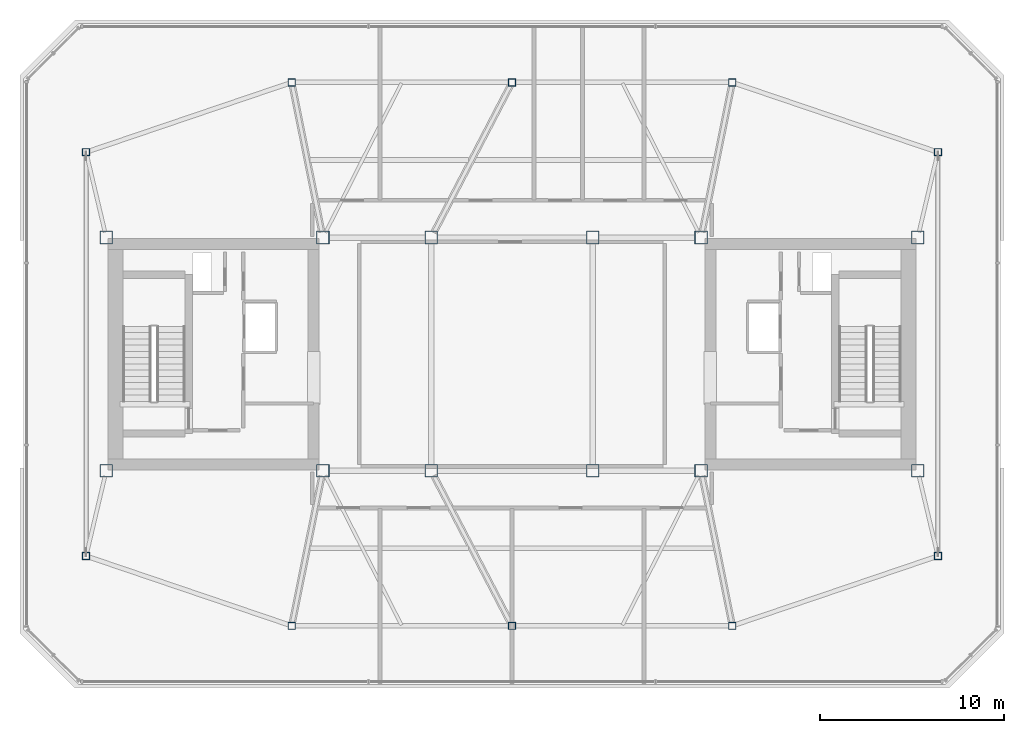
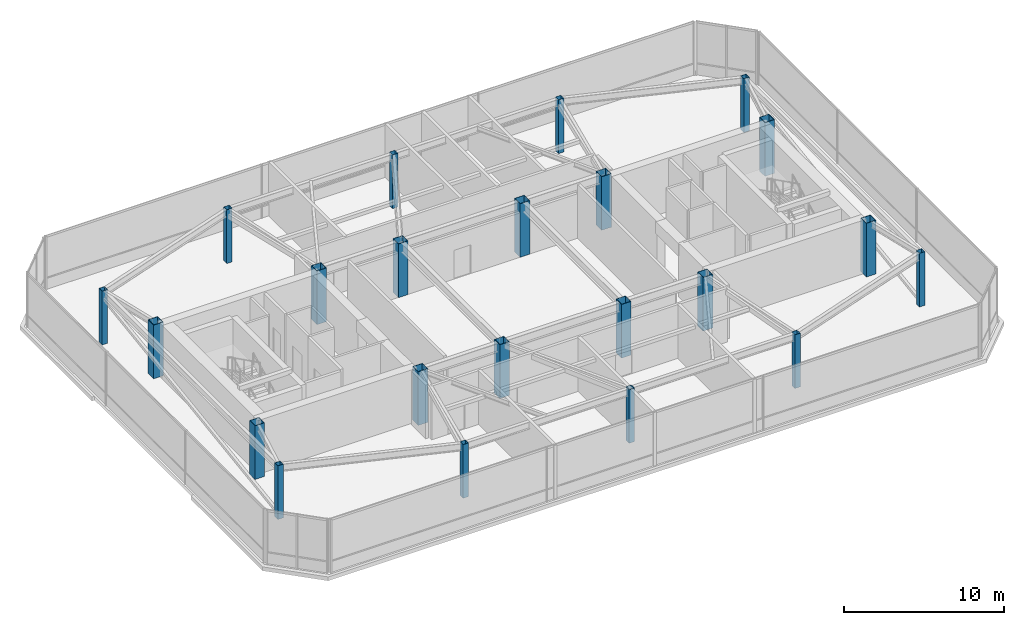
# One storey, part 1 of 21: 22 columns.
"""IFC4 building model written with IfcOpenShell, lengths in metres."""

from ifc_helpers import new_model, si_unit, direction, frame, origin, origin_2d, place, context, subcontext, project, spatial, hollow_rectangle, extrude, material, material_profile, profile_set, type_object, element, save


model = new_model("IFC4")

# Units and contexts
model_context = context("Model", 3, precision=1e-05, world=origin(), true_north=direction((0.0, 1.0)))
body_context = subcontext(model_context, "Body", "Model", "MODEL_VIEW")
ifc_project = project(units=[si_unit("LENGTHUNIT", "METRE"), si_unit("AREAUNIT", "SQUARE_METRE"), si_unit("VOLUMEUNIT", "CUBIC_METRE"), si_unit("PLANEANGLEUNIT", "RADIAN"), si_unit("MASSUNIT", "GRAM", prefix="KILO")], contexts=[model_context])

# Site, building, storey
site_placement = place(None, origin())
site = spatial("IfcSite", under=ifc_project, at=site_placement, CompositionType="ELEMENT")
building_placement = place(site_placement, origin())
building = spatial("IfcBuilding", under=site, at=building_placement, Name="Tavrogorsk Clinical Tower", CompositionType="ELEMENT")
storey_placement = place(building_placement, frame((0.0, 0.0, 344.199951171875)))
storey = spatial("IfcBuildingStorey", under=building, at=storey_placement, Name="L80", CompositionType="ELEMENT", Elevation=344.199951171875)

# Columns
ifc_material_1 = material(Name="Structural steel S390", Category="steel")
ifc_material_profile_1 = material_profile(ifc_material_1, hollow_rectangle(XDim=0.39990234375, YDim=0.39990234375, WallThickness=0.02001953125, at=origin_2d()), Name="SHS-400x400x20")
ifc_profile_set_1 = profile_set([ifc_material_profile_1], Name="Structural steel S390")
column_type_1 = type_object("IfcColumnType", Name="CrownCol_SHS400", PredefinedType="COLUMN", material=ifc_profile_set_1)
for number, where, z_axis, x_axis, name in (
    (1, (-23.199951171875, -11.0, 0.0), (0.0, 0.0, 1.0), (1.0, 0.0, 0.0), "L80 Crown Column CRN-01"),
    (2, (23.199951171875, -11.0, 0.0), (0.0, 0.0, 1.0), (1.0, 0.0, 0.0), "L80 Crown Column CRN-02"),
    (3, (23.199951171875, 11.0, 0.0), (0.0, 0.0, 1.0), (1.0, 0.0, 0.0), "L80 Crown Column CRN-03"),
    (4, (-23.199951171875, 11.0, 0.0), (0.0, 0.0, 1.0), (1.0, 0.0, 0.0), "L80 Crown Column CRN-04"),
    (5, (-12.0, -14.800048828125, 0.0), (0.0, 0.0, 1.0), (1.0, 0.0, 0.0), "L80 Crown Column CRN-05"),
    (6, (0.0, -14.800048828125, 0.0), (0.0, 0.0, 1.0), (1.0, 0.0, 0.0), "L80 Crown Column CRN-06"),
    (7, (12.0, -14.800048828125, 0.0), (0.0, 0.0, 1.0), (1.0, 0.0, 0.0), "L80 Crown Column CRN-07"),
    (8, (-12.0, 14.800048828125, 0.0), (0.0, 0.0, 1.0), (1.0, 0.0, 0.0), "L80 Crown Column CRN-08"),
    (9, (0.0, 14.800048828125, 0.0), (0.0, 0.0, 1.0), (1.0, 0.0, 0.0), "L80 Crown Column CRN-09"),
    (10, (12.0, 14.800048828125, 0.0), (0.0, 0.0, 1.0), (1.0, 0.0, 0.0), "L80 Crown Column CRN-10"),
):
    element("IfcColumn", number, at=place(storey_placement, frame(where, z_axis=z_axis, x_axis=x_axis)), inside=storey, type_object=column_type_1, Name=name, PredefinedType="COLUMN", context=body_context, shape_type="SweptSolid", body=[
        extrude(hollow_rectangle(XDim=0.39990234375, YDim=0.39990234375, WallThickness=0.02001953125, at=origin_2d()), origin(), (0.0, 0.0, 1.0), 4.10009765625),
    ])
ifc_material_2 = material(Name="Structural steel S440", Category="steel")
ifc_material_profile_2 = material_profile(ifc_material_2, hollow_rectangle(XDim=0.699951171875, YDim=0.699951171875, WallThickness=0.031982421875, at=origin_2d()), Name="BOX-700x700x32")
ifc_profile_set_2 = profile_set([ifc_material_profile_2], Name="Structural steel S440")
column_type_2 = type_object("IfcColumnType", Name="MegaCol_BOX700", PredefinedType="COLUMN", material=ifc_profile_set_2)
for number, where, z_axis, x_axis, name in (
    (11, (-22.10009765625, -6.35009765625, 0.0), (0.0, 0.0, 1.0), (1.0, 0.0, 0.0), "L80 Mega Column MC-W1"),
    (12, (-22.10009765625, 6.35009765625, 0.0), (0.0, 0.0, 1.0), (1.0, 0.0, 0.0), "L80 Mega Column MC-W2"),
    (13, (-10.300048828125, -6.35009765625, 0.0), (0.0, 0.0, 1.0), (1.0, 0.0, 0.0), "L80 Mega Column MC-W3"),
    (14, (-10.300048828125, 6.35009765625, 0.0), (0.0, 0.0, 1.0), (1.0, 0.0, 0.0), "L80 Mega Column MC-W4"),
    (15, (10.300048828125, -6.35009765625, 0.0), (0.0, 0.0, 1.0), (1.0, 0.0, 0.0), "L80 Mega Column MC-E1"),
    (16, (10.300048828125, 6.35009765625, 0.0), (0.0, 0.0, 1.0), (1.0, 0.0, 0.0), "L80 Mega Column MC-E2"),
    (17, (22.10009765625, -6.35009765625, 0.0), (0.0, 0.0, 1.0), (1.0, 0.0, 0.0), "L80 Mega Column MC-E3"),
    (18, (22.10009765625, 6.35009765625, 0.0), (0.0, 0.0, 1.0), (1.0, 0.0, 0.0), "L80 Mega Column MC-E4"),
    (19, (-4.39990234375, -6.35009765625, 0.0), (0.0, 0.0, 1.0), (1.0, 0.0, 0.0), "L80 Mega Column MC-C1"),
    (20, (4.39990234375, -6.35009765625, 0.0), (0.0, 0.0, 1.0), (1.0, 0.0, 0.0), "L80 Mega Column MC-C2"),
    (21, (-4.39990234375, 6.35009765625, 0.0), (0.0, 0.0, 1.0), (1.0, 0.0, 0.0), "L80 Mega Column MC-C3"),
    (22, (4.39990234375, 6.35009765625, 0.0), (0.0, 0.0, 1.0), (1.0, 0.0, 0.0), "L80 Mega Column MC-C4"),
):
    element("IfcColumn", number, at=place(storey_placement, frame(where, z_axis=z_axis, x_axis=x_axis)), inside=storey, type_object=column_type_2, Name=name, PredefinedType="COLUMN", context=body_context, shape_type="SweptSolid", body=[
        extrude(hollow_rectangle(XDim=0.699951171875, YDim=0.699951171875, WallThickness=0.031982421875, at=origin_2d()), origin(), (0.0, 0.0, 1.0), 4.10009765625),
    ])

save(model, "model.ifc")
